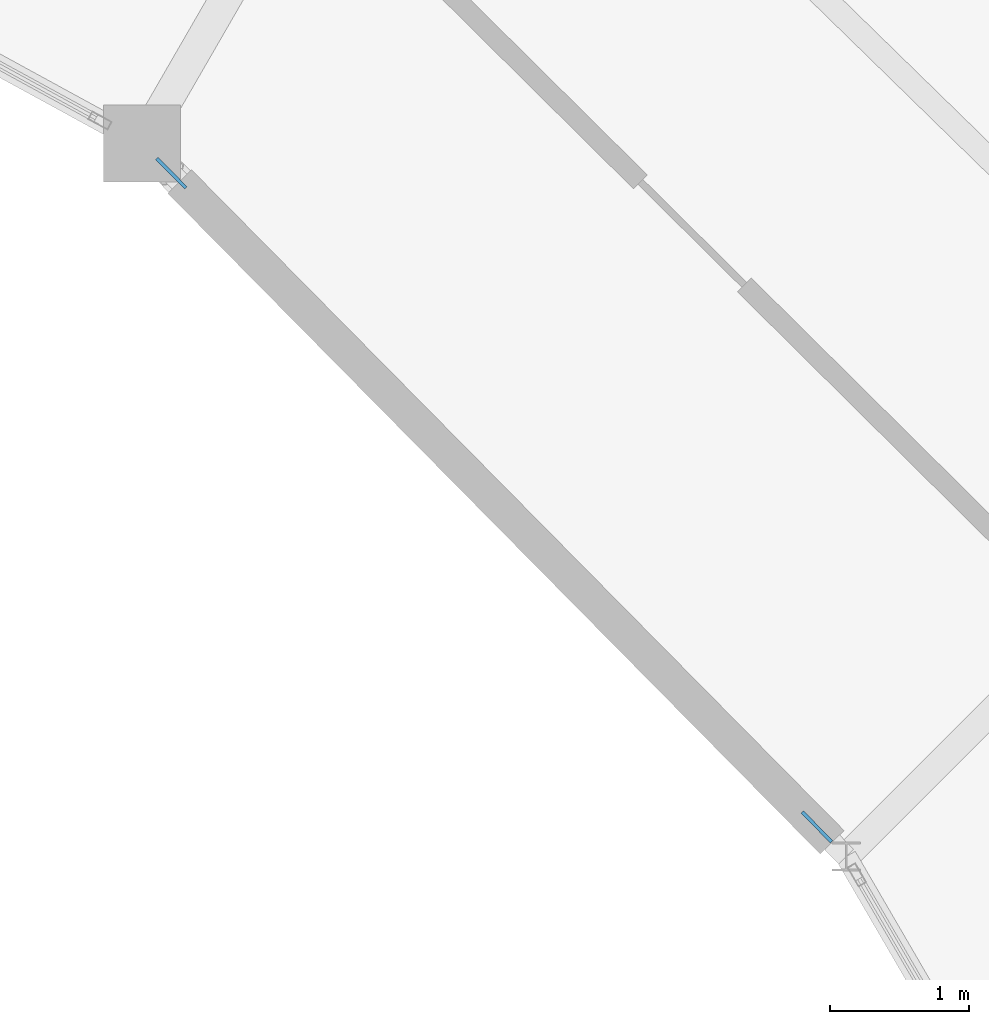
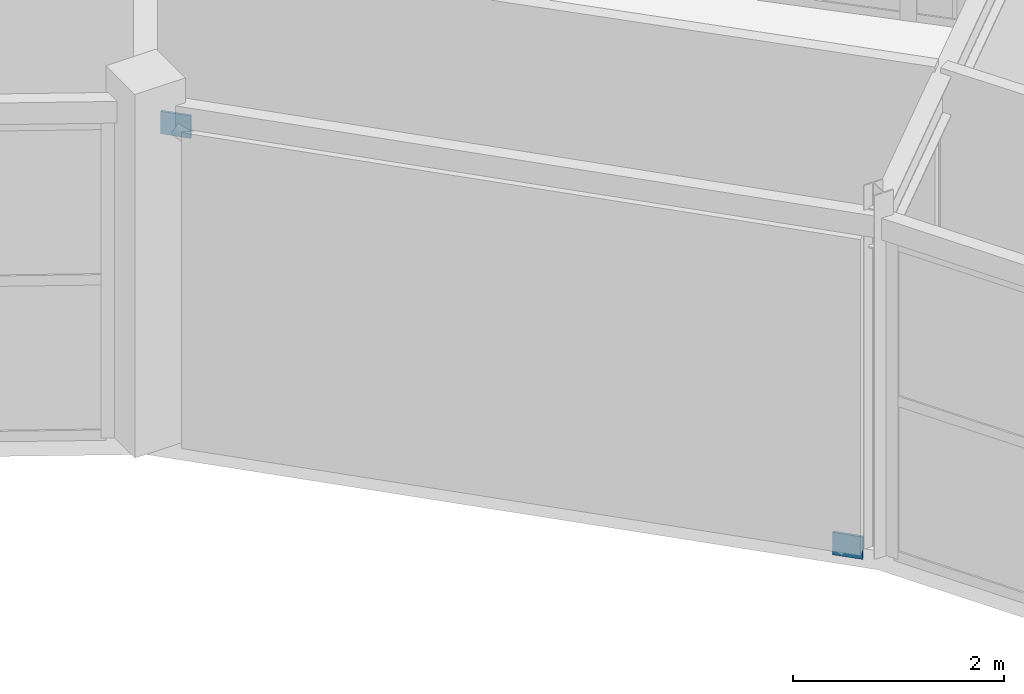
# One storey, part 89 of 106: 2 plates.
"""IFC4 building model written with IfcOpenShell, lengths in metres."""

from ifc_helpers import new_model, si_unit, direction, frame, origin, origin_2d, place, context, subcontext, project, spatial, rectangle, extrude, material, layer, layer_set, type_object, element, save


model = new_model("IFC4")

# Units and contexts
model_context = context("Model", 3, precision=1e-05, world=origin(), true_north=direction((0.0, 1.0)))
body_context = subcontext(model_context, "Body", "Model", "MODEL_VIEW")
ifc_project = project(units=[si_unit("LENGTHUNIT", "METRE"), si_unit("AREAUNIT", "SQUARE_METRE"), si_unit("VOLUMEUNIT", "CUBIC_METRE"), si_unit("PLANEANGLEUNIT", "RADIAN"), si_unit("MASSUNIT", "GRAM", prefix="KILO")], contexts=[model_context])

# Site, building, storey
site_placement = place(None, origin())
site = spatial("IfcSite", under=ifc_project, at=site_placement, CompositionType="ELEMENT")
building_placement = place(site_placement, origin())
building = spatial("IfcBuilding", under=site, at=building_placement, Name="Karori Crest Natural Sciences Institute", CompositionType="ELEMENT")
storey_placement = place(building_placement, frame((0.0, 0.0, 25.89990234375)))
storey = spatial("IfcBuildingStorey", under=building, at=storey_placement, Name="L06", CompositionType="ELEMENT", Elevation=25.89990234375)

# Plates
ifc_material = material(Name="Structural steel AS/NZS 3679.1 Grade 350", Category="steel")
ifc_layer = layer(ifc_material, 0.02490234375, Name="Structural steel AS/NZS 3679.1 Grade 350")
ifc_layer_set = layer_set([ifc_layer], Name="Structural steel AS/NZS 3679.1 Grade 350")
plate_type = type_object("IfcPlateType", Name="PLT-06", PredefinedType="SHEET", material=ifc_layer_set)
for number, where, z_axis, x_axis, name in (
    (1, (83.442626953125, 72.88232421875, -0.11962890625), (0.0, 0.0, 1.0), (-0.702663630174, 0.711522187167, 0.0), "Brace gusset plate EP-0055"),
    (2, (78.810791015625, 77.572509765625, 3.5205078125), (0.0, 0.0, 1.0), (-0.702663630174, 0.711522187167, 0.0), "Brace gusset plate EP-0056"),
):
    element("IfcPlate", number, at=place(storey_placement, frame(where, z_axis=z_axis, x_axis=x_axis)), inside=storey, type_object=plate_type, Name=name, PredefinedType="SHEET", context=body_context, shape_type="SweptSolid", body=[
        extrude(rectangle(XDim=0.299072265625, YDim=0.02490234375, at=origin_2d()), origin(), (0.0, 0.0, 1.0), 0.259033203125),
    ])

save(model, "model.ifc")
